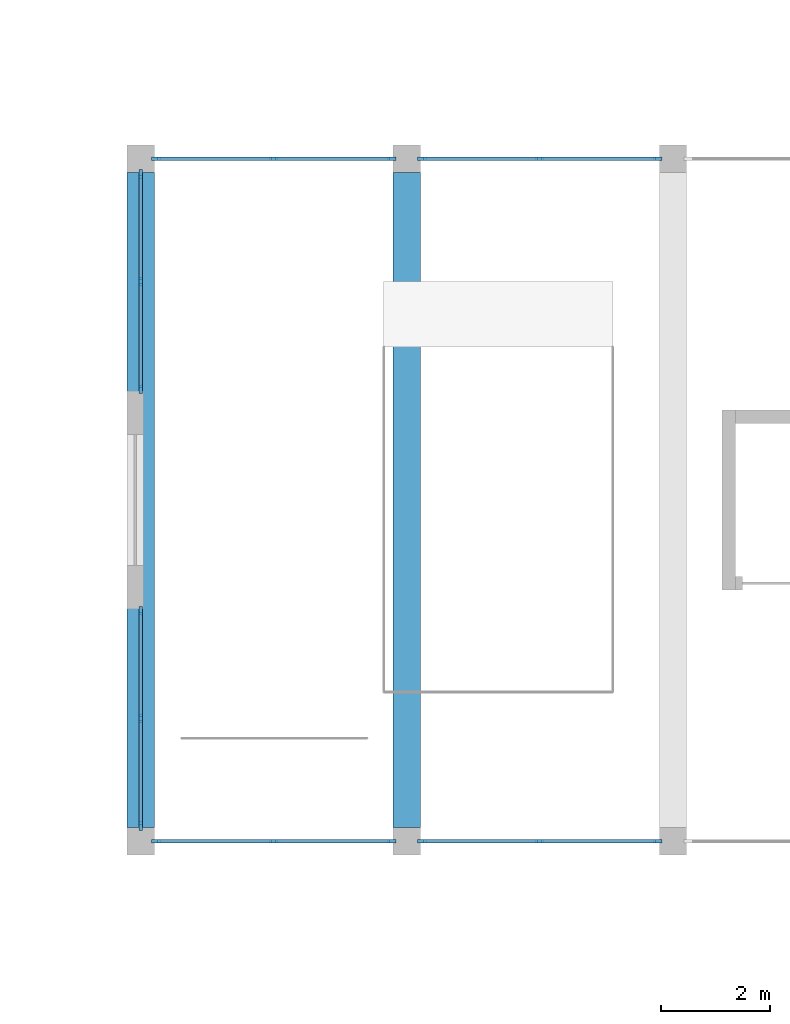
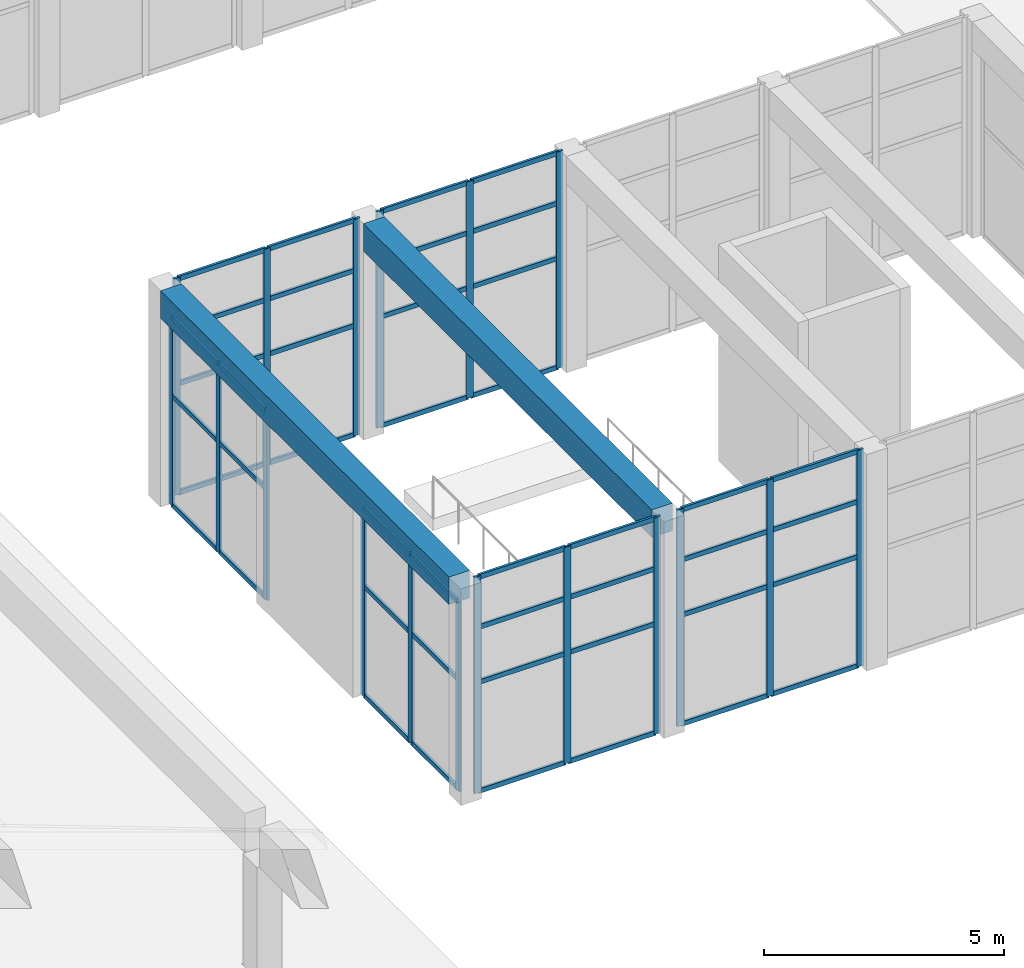
# One storey, part 6 of 175: 62 members, 2 beams, 6 elements without a shape of their own.
"""IFC4 building model written with IfcOpenShell, lengths in metres."""

from ifc_helpers import new_model, si_unit, direction, frame, origin, origin_2d, place, context, subcontext, project, spatial, rectangle, extrude, material, material_profile, profile_set, type_object, element, aggregate, save


model = new_model("IFC4")

# Units and contexts
model_context = context("Model", 3, precision=1e-05, world=origin(), true_north=direction((0.0, 1.0)))
body_context = subcontext(model_context, "Body", "Model", "MODEL_VIEW")
ifc_project = project(units=[si_unit("LENGTHUNIT", "METRE"), si_unit("AREAUNIT", "SQUARE_METRE"), si_unit("VOLUMEUNIT", "CUBIC_METRE"), si_unit("PLANEANGLEUNIT", "RADIAN"), si_unit("MASSUNIT", "GRAM", prefix="KILO")], contexts=[model_context])

# Site, building, storey
site_placement = place(None, origin())
site = spatial("IfcSite", under=ifc_project, at=site_placement, CompositionType="ELEMENT")
building_placement = place(site_placement, origin())
building = spatial("IfcBuilding", under=site, at=building_placement, Name="Ogive Plaza Stadium", CompositionType="ELEMENT")
storey_placement = place(building_placement, origin())
storey = spatial("IfcBuildingStorey", under=building, at=storey_placement, Name="L00", CompositionType="ELEMENT", Elevation=0.0)

# Curtain wall, members
ifc_material_1 = material(Name="Aluminium and laminated glass", Category="aluminium")
curtain_wall_type = type_object("IfcCurtainWallType", Name="Headhouse curtain wall", PredefinedType="NOTDEFINED", material=ifc_material_1)
curtain_wall_1_placement = place(storey_placement, origin())
curtain_wall_1 = element("IfcCurtainWall", 1, at=curtain_wall_1_placement, inside=storey, type_object=curtain_wall_type, Name="Headhouse 1 curtain wall", PredefinedType="NOTDEFINED")
ifc_material_2 = material(Name="Bronze-anodised aluminium", Category="aluminium")
ifc_material_profile_1 = material_profile(ifc_material_2, rectangle(XDim=0.06005859375, YDim=0.159912109375, at=origin_2d()), Name="Headhouse mullion 60x160")
ifc_profile_set_1 = profile_set([ifc_material_profile_1], Name="Bronze-anodised aluminium")
member_type_1 = type_object("IfcMemberType", Name="Headhouse mullion 60x160", PredefinedType="MULLION", material=ifc_profile_set_1)
member_1_placement = place(storey_placement, frame((98.530029296875, -19.25, 0.0), z_axis=(0.0, 0.0, 1.0), x_axis=(0.0, 1.0, 0.0)))
member_1 = element("IfcMember", 2, at=member_1_placement, type_object=member_type_1, Name="HCW1A mullion 1", PredefinedType="MULLION", context=body_context, shape_type="SweptSolid", body=[
    extrude(rectangle(XDim=0.06005859375, YDim=0.159912109375, at=origin_2d()), origin(), (0.0, 0.0, 1.0), 5.5),
])
member_2_placement = place(storey_placement, frame((100.6875, -19.25, 0.0), z_axis=(0.0, 0.0, 1.0), x_axis=(0.0, 1.0, 0.0)))
member_2 = element("IfcMember", 3, at=member_2_placement, type_object=member_type_1, Name="HCW1A mullion 2", PredefinedType="MULLION", context=body_context, shape_type="SweptSolid", body=[
    extrude(rectangle(XDim=0.06005859375, YDim=0.159912109375, at=origin_2d()), origin(), (0.0, 0.0, 1.0), 5.5),
])
member_3_placement = place(storey_placement, frame((102.844970703125, -19.25, 0.0), z_axis=(0.0, 0.0, 1.0), x_axis=(0.0, 1.0, 0.0)))
member_3 = element("IfcMember", 4, at=member_3_placement, type_object=member_type_1, Name="HCW1A mullion 3", PredefinedType="MULLION", context=body_context, shape_type="SweptSolid", body=[
    extrude(rectangle(XDim=0.06005859375, YDim=0.159912109375, at=origin_2d()), origin(), (0.0, 0.0, 1.0), 5.5),
])

curtain_wall_2_placement = place(storey_placement, origin())
curtain_wall_2 = element("IfcCurtainWall", 5, at=curtain_wall_2_placement, inside=storey, type_object=curtain_wall_type, Name="Headhouse 1 curtain wall", PredefinedType="NOTDEFINED")
member_4_placement = place(storey_placement, frame((103.405029296875, -19.25, 0.0), z_axis=(0.0, 0.0, 1.0), x_axis=(0.0, 1.0, 0.0)))
member_4 = element("IfcMember", 6, at=member_4_placement, type_object=member_type_1, Name="HCW1A mullion 1", PredefinedType="MULLION", context=body_context, shape_type="SweptSolid", body=[
    extrude(rectangle(XDim=0.06005859375, YDim=0.159912109375, at=origin_2d()), origin(), (0.0, 0.0, 1.0), 5.5),
])
member_5_placement = place(storey_placement, frame((105.5625, -19.25, 0.0), z_axis=(0.0, 0.0, 1.0), x_axis=(0.0, 1.0, 0.0)))
member_5 = element("IfcMember", 7, at=member_5_placement, type_object=member_type_1, Name="HCW1A mullion 2", PredefinedType="MULLION", context=body_context, shape_type="SweptSolid", body=[
    extrude(rectangle(XDim=0.06005859375, YDim=0.159912109375, at=origin_2d()), origin(), (0.0, 0.0, 1.0), 5.5),
])
member_6_placement = place(storey_placement, frame((107.719970703125, -19.25, 0.0), z_axis=(0.0, 0.0, 1.0), x_axis=(0.0, 1.0, 0.0)))
member_6 = element("IfcMember", 8, at=member_6_placement, type_object=member_type_1, Name="HCW1A mullion 3", PredefinedType="MULLION", context=body_context, shape_type="SweptSolid", body=[
    extrude(rectangle(XDim=0.06005859375, YDim=0.159912109375, at=origin_2d()), origin(), (0.0, 0.0, 1.0), 5.5),
])

curtain_wall_3_placement = place(storey_placement, origin())
curtain_wall_3 = element("IfcCurtainWall", 9, at=curtain_wall_3_placement, inside=storey, type_object=curtain_wall_type, Name="Headhouse 1 curtain wall", PredefinedType="NOTDEFINED")
member_7_placement = place(storey_placement, frame((98.530029296875, -6.75, 0.0), z_axis=(0.0, 0.0, 1.0), x_axis=(0.0, 1.0, 0.0)))
member_7 = element("IfcMember", 10, at=member_7_placement, type_object=member_type_1, Name="HCW1A mullion 1", PredefinedType="MULLION", context=body_context, shape_type="SweptSolid", body=[
    extrude(rectangle(XDim=0.06005859375, YDim=0.159912109375, at=origin_2d()), origin(), (0.0, 0.0, 1.0), 5.5),
])
member_8_placement = place(storey_placement, frame((100.6875, -6.75, 0.0), z_axis=(0.0, 0.0, 1.0), x_axis=(0.0, 1.0, 0.0)))
member_8 = element("IfcMember", 11, at=member_8_placement, type_object=member_type_1, Name="HCW1A mullion 2", PredefinedType="MULLION", context=body_context, shape_type="SweptSolid", body=[
    extrude(rectangle(XDim=0.06005859375, YDim=0.159912109375, at=origin_2d()), origin(), (0.0, 0.0, 1.0), 5.5),
])
member_9_placement = place(storey_placement, frame((102.844970703125, -6.75, 0.0), z_axis=(0.0, 0.0, 1.0), x_axis=(0.0, 1.0, 0.0)))
member_9 = element("IfcMember", 12, at=member_9_placement, type_object=member_type_1, Name="HCW1A mullion 3", PredefinedType="MULLION", context=body_context, shape_type="SweptSolid", body=[
    extrude(rectangle(XDim=0.06005859375, YDim=0.159912109375, at=origin_2d()), origin(), (0.0, 0.0, 1.0), 5.5),
])

curtain_wall_4_placement = place(storey_placement, origin())
curtain_wall_4 = element("IfcCurtainWall", 13, at=curtain_wall_4_placement, inside=storey, type_object=curtain_wall_type, Name="Headhouse 1 curtain wall", PredefinedType="NOTDEFINED")
member_10_placement = place(storey_placement, frame((103.405029296875, -6.75, 0.0), z_axis=(0.0, 0.0, 1.0), x_axis=(0.0, 1.0, 0.0)))
member_10 = element("IfcMember", 14, at=member_10_placement, type_object=member_type_1, Name="HCW1A mullion 1", PredefinedType="MULLION", context=body_context, shape_type="SweptSolid", body=[
    extrude(rectangle(XDim=0.06005859375, YDim=0.159912109375, at=origin_2d()), origin(), (0.0, 0.0, 1.0), 5.5),
])
member_11_placement = place(storey_placement, frame((105.5625, -6.75, 0.0), z_axis=(0.0, 0.0, 1.0), x_axis=(0.0, 1.0, 0.0)))
member_11 = element("IfcMember", 15, at=member_11_placement, type_object=member_type_1, Name="HCW1A mullion 2", PredefinedType="MULLION", context=body_context, shape_type="SweptSolid", body=[
    extrude(rectangle(XDim=0.06005859375, YDim=0.159912109375, at=origin_2d()), origin(), (0.0, 0.0, 1.0), 5.5),
])
member_12_placement = place(storey_placement, frame((107.719970703125, -6.75, 0.0), z_axis=(0.0, 0.0, 1.0), x_axis=(0.0, 1.0, 0.0)))
member_12 = element("IfcMember", 16, at=member_12_placement, type_object=member_type_1, Name="HCW1A mullion 3", PredefinedType="MULLION", context=body_context, shape_type="SweptSolid", body=[
    extrude(rectangle(XDim=0.06005859375, YDim=0.159912109375, at=origin_2d()), origin(), (0.0, 0.0, 1.0), 5.5),
])

curtain_wall_5_placement = place(storey_placement, origin())
curtain_wall_5 = element("IfcCurtainWall", 17, at=curtain_wall_5_placement, inside=storey, type_object=curtain_wall_type, Name="Headhouse 1 curtain wall", PredefinedType="NOTDEFINED")
member_13_placement = place(storey_placement, frame((98.25, -18.969970703125, 0.0), z_axis=(0.0, 0.0, 1.0), x_axis=(-1.0, 0.0, 0.0)))
member_13 = element("IfcMember", 18, at=member_13_placement, type_object=member_type_1, Name="HCW1B mullion 1", PredefinedType="MULLION", context=body_context, shape_type="SweptSolid", body=[
    extrude(rectangle(XDim=0.06005859375, YDim=0.159912109375, at=origin_2d()), origin(), (0.0, 0.0, 1.0), 4.800048828125),
])
member_14_placement = place(storey_placement, frame((98.25, -17.0, 0.0), z_axis=(0.0, 0.0, 1.0), x_axis=(-1.0, 0.0, 0.0)))
member_14 = element("IfcMember", 19, at=member_14_placement, type_object=member_type_1, Name="HCW1B mullion 2", PredefinedType="MULLION", context=body_context, shape_type="SweptSolid", body=[
    extrude(rectangle(XDim=0.06005859375, YDim=0.159912109375, at=origin_2d()), origin(), (0.0, 0.0, 1.0), 4.800048828125),
])
member_15_placement = place(storey_placement, frame((98.25, -15.030029296875, 0.0), z_axis=(0.0, 0.0, 1.0), x_axis=(-1.0, 0.0, 0.0)))
member_15 = element("IfcMember", 20, at=member_15_placement, type_object=member_type_1, Name="HCW1B mullion 3", PredefinedType="MULLION", context=body_context, shape_type="SweptSolid", body=[
    extrude(rectangle(XDim=0.06005859375, YDim=0.159912109375, at=origin_2d()), origin(), (0.0, 0.0, 1.0), 4.800048828125),
])

curtain_wall_6_placement = place(storey_placement, origin())
curtain_wall_6 = element("IfcCurtainWall", 21, at=curtain_wall_6_placement, inside=storey, type_object=curtain_wall_type, Name="Headhouse 1 curtain wall", PredefinedType="NOTDEFINED")
member_16_placement = place(storey_placement, frame((98.25, -10.969970703125, 0.0), z_axis=(0.0, 0.0, 1.0), x_axis=(-1.0, 0.0, 0.0)))
member_16 = element("IfcMember", 22, at=member_16_placement, type_object=member_type_1, Name="HCW1B mullion 1", PredefinedType="MULLION", context=body_context, shape_type="SweptSolid", body=[
    extrude(rectangle(XDim=0.06005859375, YDim=0.159912109375, at=origin_2d()), origin(), (0.0, 0.0, 1.0), 4.800048828125),
])
member_17_placement = place(storey_placement, frame((98.25, -9.0, 0.0), z_axis=(0.0, 0.0, 1.0), x_axis=(-1.0, 0.0, 0.0)))
member_17 = element("IfcMember", 23, at=member_17_placement, type_object=member_type_1, Name="HCW1B mullion 2", PredefinedType="MULLION", context=body_context, shape_type="SweptSolid", body=[
    extrude(rectangle(XDim=0.06005859375, YDim=0.159912109375, at=origin_2d()), origin(), (0.0, 0.0, 1.0), 4.800048828125),
])
member_18_placement = place(storey_placement, frame((98.25, -7.030029296875, 0.0), z_axis=(0.0, 0.0, 1.0), x_axis=(-1.0, 0.0, 0.0)))
member_18 = element("IfcMember", 24, at=member_18_placement, type_object=member_type_1, Name="HCW1B mullion 3", PredefinedType="MULLION", context=body_context, shape_type="SweptSolid", body=[
    extrude(rectangle(XDim=0.06005859375, YDim=0.159912109375, at=origin_2d()), origin(), (0.0, 0.0, 1.0), 4.800048828125),
])

# Beams
ifc_material_3 = material(Name="Concrete C40/50", Category="concrete")
ifc_material_profile_2 = material_profile(ifc_material_3, rectangle(XDim=0.5, YDim=0.699951171875, at=origin_2d()), Name="Headhouse roof beam RC 500x700")
ifc_profile_set_2 = profile_set([ifc_material_profile_2], Name="Concrete C40/50")
beam_type = type_object("IfcBeamType", Name="Headhouse roof beam RC 500x700", PredefinedType="BEAM", material=ifc_profile_set_2)
for number, where, z_axis, x_axis, name in (
    (25, (98.25, -19.0, 5.14990234375), (0.0, 1.0, 0.0), (-1.0, 0.0, 0.0), "Headhouse 1 roof beam 1"),
    (26, (103.125, -19.0, 5.14990234375), (0.0, 1.0, 0.0), (-1.0, 0.0, 0.0), "Headhouse 1 roof beam 2"),
):
    element("IfcBeam", number, at=place(storey_placement, frame(where, z_axis=z_axis, x_axis=x_axis)), inside=storey, type_object=beam_type, Name=name, PredefinedType="BEAM", context=body_context, shape_type="SweptSolid", body=[
        extrude(rectangle(XDim=0.5, YDim=0.699951171875, at=origin_2d()), origin(), (0.0, 0.0, 1.0), 12.0),
    ])

# Member
ifc_material_4 = material(Name="Bronze-anodised aluminium", Category="aluminium")
ifc_material_profile_3 = material_profile(ifc_material_4, rectangle(XDim=0.06005859375, YDim=0.1201171875, at=origin_2d()), Name="Headhouse transom 60x120")
ifc_profile_set_3 = profile_set([ifc_material_profile_3], Name="Bronze-anodised aluminium")
member_type_2 = type_object("IfcMemberType", Name="Headhouse transom 60x120", PredefinedType="USERDEFINED", material=ifc_profile_set_3)
member_19_placement = place(storey_placement, frame((98.56005859375, -19.25, 0.030029296875), z_axis=(1.0, 0.0, 0.0), x_axis=(0.0, 1.0, 0.0)))
member_19 = element("IfcMember", 27, at=member_19_placement, type_object=member_type_2, Name="HCW1A transom 1.1", ObjectType="TRANSOM", PredefinedType="USERDEFINED", context=body_context, shape_type="SweptSolid", body=[
    extrude(rectangle(XDim=0.06005859375, YDim=0.1201171875, at=origin_2d()), origin(), (0.0, 0.0, 1.0), 2.097412109375),
])

member_20_placement = place(storey_placement, frame((98.56005859375, -19.25, 2.800048828125), z_axis=(1.0, 0.0, 0.0), x_axis=(0.0, 1.0, 0.0)))
member_20 = element("IfcMember", 28, at=member_20_placement, type_object=member_type_2, Name="HCW1A transom 1.2", ObjectType="TRANSOM", PredefinedType="USERDEFINED", context=body_context, shape_type="SweptSolid", body=[
    extrude(rectangle(XDim=0.06005859375, YDim=0.1201171875, at=origin_2d()), origin(), (0.0, 0.0, 1.0), 2.097412109375),
])

member_21_placement = place(storey_placement, frame((98.56005859375, -19.25, 4.199951171875), z_axis=(1.0, 0.0, 0.0), x_axis=(0.0, 1.0, 0.0)))
member_21 = element("IfcMember", 29, at=member_21_placement, type_object=member_type_2, Name="HCW1A transom 1.3", ObjectType="TRANSOM", PredefinedType="USERDEFINED", context=body_context, shape_type="SweptSolid", body=[
    extrude(rectangle(XDim=0.06005859375, YDim=0.1201171875, at=origin_2d()), origin(), (0.0, 0.0, 1.0), 2.097412109375),
])

member_22_placement = place(storey_placement, frame((98.56005859375, -19.25, 5.469970703125), z_axis=(1.0, 0.0, 0.0), x_axis=(0.0, 1.0, 0.0)))
member_22 = element("IfcMember", 30, at=member_22_placement, type_object=member_type_2, Name="HCW1A transom 1.4", ObjectType="TRANSOM", PredefinedType="USERDEFINED", context=body_context, shape_type="SweptSolid", body=[
    extrude(rectangle(XDim=0.06005859375, YDim=0.1201171875, at=origin_2d()), origin(), (0.0, 0.0, 1.0), 2.097412109375),
])

member_23_placement = place(storey_placement, frame((100.717529296875, -19.25, 0.030029296875), z_axis=(1.0, 0.0, 0.0), x_axis=(0.0, 1.0, 0.0)))
member_23 = element("IfcMember", 31, at=member_23_placement, type_object=member_type_2, Name="HCW1A transom 2.1", ObjectType="TRANSOM", PredefinedType="USERDEFINED", context=body_context, shape_type="SweptSolid", body=[
    extrude(rectangle(XDim=0.06005859375, YDim=0.1201171875, at=origin_2d()), origin(), (0.0, 0.0, 1.0), 2.097412109375),
])

member_24_placement = place(storey_placement, frame((100.717529296875, -19.25, 2.800048828125), z_axis=(1.0, 0.0, 0.0), x_axis=(0.0, 1.0, 0.0)))
member_24 = element("IfcMember", 32, at=member_24_placement, type_object=member_type_2, Name="HCW1A transom 2.2", ObjectType="TRANSOM", PredefinedType="USERDEFINED", context=body_context, shape_type="SweptSolid", body=[
    extrude(rectangle(XDim=0.06005859375, YDim=0.1201171875, at=origin_2d()), origin(), (0.0, 0.0, 1.0), 2.097412109375),
])

member_25_placement = place(storey_placement, frame((100.717529296875, -19.25, 4.199951171875), z_axis=(1.0, 0.0, 0.0), x_axis=(0.0, 1.0, 0.0)))
member_25 = element("IfcMember", 33, at=member_25_placement, type_object=member_type_2, Name="HCW1A transom 2.3", ObjectType="TRANSOM", PredefinedType="USERDEFINED", context=body_context, shape_type="SweptSolid", body=[
    extrude(rectangle(XDim=0.06005859375, YDim=0.1201171875, at=origin_2d()), origin(), (0.0, 0.0, 1.0), 2.097412109375),
])

member_26_placement = place(storey_placement, frame((100.717529296875, -19.25, 5.469970703125), z_axis=(1.0, 0.0, 0.0), x_axis=(0.0, 1.0, 0.0)))
member_26 = element("IfcMember", 34, at=member_26_placement, type_object=member_type_2, Name="HCW1A transom 2.4", ObjectType="TRANSOM", PredefinedType="USERDEFINED", context=body_context, shape_type="SweptSolid", body=[
    extrude(rectangle(XDim=0.06005859375, YDim=0.1201171875, at=origin_2d()), origin(), (0.0, 0.0, 1.0), 2.097412109375),
])

aggregate(curtain_wall_1, [member_1, member_2, member_3, member_19, member_20, member_21, member_22, member_23, member_24, member_25, member_26])

member_27_placement = place(storey_placement, frame((103.43505859375, -19.25, 0.030029296875), z_axis=(1.0, 0.0, 0.0), x_axis=(0.0, 1.0, 0.0)))
member_27 = element("IfcMember", 35, at=member_27_placement, type_object=member_type_2, Name="HCW1A transom 1.1", ObjectType="TRANSOM", PredefinedType="USERDEFINED", context=body_context, shape_type="SweptSolid", body=[
    extrude(rectangle(XDim=0.06005859375, YDim=0.1201171875, at=origin_2d()), origin(), (0.0, 0.0, 1.0), 2.097412109375),
])

member_28_placement = place(storey_placement, frame((103.43505859375, -19.25, 2.800048828125), z_axis=(1.0, 0.0, 0.0), x_axis=(0.0, 1.0, 0.0)))
member_28 = element("IfcMember", 36, at=member_28_placement, type_object=member_type_2, Name="HCW1A transom 1.2", ObjectType="TRANSOM", PredefinedType="USERDEFINED", context=body_context, shape_type="SweptSolid", body=[
    extrude(rectangle(XDim=0.06005859375, YDim=0.1201171875, at=origin_2d()), origin(), (0.0, 0.0, 1.0), 2.097412109375),
])

member_29_placement = place(storey_placement, frame((103.43505859375, -19.25, 4.199951171875), z_axis=(1.0, 0.0, 0.0), x_axis=(0.0, 1.0, 0.0)))
member_29 = element("IfcMember", 37, at=member_29_placement, type_object=member_type_2, Name="HCW1A transom 1.3", ObjectType="TRANSOM", PredefinedType="USERDEFINED", context=body_context, shape_type="SweptSolid", body=[
    extrude(rectangle(XDim=0.06005859375, YDim=0.1201171875, at=origin_2d()), origin(), (0.0, 0.0, 1.0), 2.097412109375),
])

member_30_placement = place(storey_placement, frame((103.43505859375, -19.25, 5.469970703125), z_axis=(1.0, 0.0, 0.0), x_axis=(0.0, 1.0, 0.0)))
member_30 = element("IfcMember", 38, at=member_30_placement, type_object=member_type_2, Name="HCW1A transom 1.4", ObjectType="TRANSOM", PredefinedType="USERDEFINED", context=body_context, shape_type="SweptSolid", body=[
    extrude(rectangle(XDim=0.06005859375, YDim=0.1201171875, at=origin_2d()), origin(), (0.0, 0.0, 1.0), 2.097412109375),
])

member_31_placement = place(storey_placement, frame((105.592529296875, -19.25, 0.030029296875), z_axis=(1.0, 0.0, 0.0), x_axis=(0.0, 1.0, 0.0)))
member_31 = element("IfcMember", 39, at=member_31_placement, type_object=member_type_2, Name="HCW1A transom 2.1", ObjectType="TRANSOM", PredefinedType="USERDEFINED", context=body_context, shape_type="SweptSolid", body=[
    extrude(rectangle(XDim=0.06005859375, YDim=0.1201171875, at=origin_2d()), origin(), (0.0, 0.0, 1.0), 2.097412109375),
])

member_32_placement = place(storey_placement, frame((105.592529296875, -19.25, 2.800048828125), z_axis=(1.0, 0.0, 0.0), x_axis=(0.0, 1.0, 0.0)))
member_32 = element("IfcMember", 40, at=member_32_placement, type_object=member_type_2, Name="HCW1A transom 2.2", ObjectType="TRANSOM", PredefinedType="USERDEFINED", context=body_context, shape_type="SweptSolid", body=[
    extrude(rectangle(XDim=0.06005859375, YDim=0.1201171875, at=origin_2d()), origin(), (0.0, 0.0, 1.0), 2.097412109375),
])

member_33_placement = place(storey_placement, frame((105.592529296875, -19.25, 4.199951171875), z_axis=(1.0, 0.0, 0.0), x_axis=(0.0, 1.0, 0.0)))
member_33 = element("IfcMember", 41, at=member_33_placement, type_object=member_type_2, Name="HCW1A transom 2.3", ObjectType="TRANSOM", PredefinedType="USERDEFINED", context=body_context, shape_type="SweptSolid", body=[
    extrude(rectangle(XDim=0.06005859375, YDim=0.1201171875, at=origin_2d()), origin(), (0.0, 0.0, 1.0), 2.097412109375),
])

member_34_placement = place(storey_placement, frame((105.592529296875, -19.25, 5.469970703125), z_axis=(1.0, 0.0, 0.0), x_axis=(0.0, 1.0, 0.0)))
member_34 = element("IfcMember", 42, at=member_34_placement, type_object=member_type_2, Name="HCW1A transom 2.4", ObjectType="TRANSOM", PredefinedType="USERDEFINED", context=body_context, shape_type="SweptSolid", body=[
    extrude(rectangle(XDim=0.06005859375, YDim=0.1201171875, at=origin_2d()), origin(), (0.0, 0.0, 1.0), 2.097412109375),
])

aggregate(curtain_wall_2, [member_4, member_5, member_6, member_27, member_28, member_29, member_30, member_31, member_32, member_33, member_34])

member_35_placement = place(storey_placement, frame((98.56005859375, -6.75, 0.030029296875), z_axis=(1.0, 0.0, 0.0), x_axis=(0.0, 1.0, 0.0)))
member_35 = element("IfcMember", 43, at=member_35_placement, type_object=member_type_2, Name="HCW1A transom 1.1", ObjectType="TRANSOM", PredefinedType="USERDEFINED", context=body_context, shape_type="SweptSolid", body=[
    extrude(rectangle(XDim=0.06005859375, YDim=0.1201171875, at=origin_2d()), origin(), (0.0, 0.0, 1.0), 2.097412109375),
])

member_36_placement = place(storey_placement, frame((98.56005859375, -6.75, 2.800048828125), z_axis=(1.0, 0.0, 0.0), x_axis=(0.0, 1.0, 0.0)))
member_36 = element("IfcMember", 44, at=member_36_placement, type_object=member_type_2, Name="HCW1A transom 1.2", ObjectType="TRANSOM", PredefinedType="USERDEFINED", context=body_context, shape_type="SweptSolid", body=[
    extrude(rectangle(XDim=0.06005859375, YDim=0.1201171875, at=origin_2d()), origin(), (0.0, 0.0, 1.0), 2.097412109375),
])

member_37_placement = place(storey_placement, frame((98.56005859375, -6.75, 4.199951171875), z_axis=(1.0, 0.0, 0.0), x_axis=(0.0, 1.0, 0.0)))
member_37 = element("IfcMember", 45, at=member_37_placement, type_object=member_type_2, Name="HCW1A transom 1.3", ObjectType="TRANSOM", PredefinedType="USERDEFINED", context=body_context, shape_type="SweptSolid", body=[
    extrude(rectangle(XDim=0.06005859375, YDim=0.1201171875, at=origin_2d()), origin(), (0.0, 0.0, 1.0), 2.097412109375),
])

member_38_placement = place(storey_placement, frame((98.56005859375, -6.75, 5.469970703125), z_axis=(1.0, 0.0, 0.0), x_axis=(0.0, 1.0, 0.0)))
member_38 = element("IfcMember", 46, at=member_38_placement, type_object=member_type_2, Name="HCW1A transom 1.4", ObjectType="TRANSOM", PredefinedType="USERDEFINED", context=body_context, shape_type="SweptSolid", body=[
    extrude(rectangle(XDim=0.06005859375, YDim=0.1201171875, at=origin_2d()), origin(), (0.0, 0.0, 1.0), 2.097412109375),
])

member_39_placement = place(storey_placement, frame((100.717529296875, -6.75, 0.030029296875), z_axis=(1.0, 0.0, 0.0), x_axis=(0.0, 1.0, 0.0)))
member_39 = element("IfcMember", 47, at=member_39_placement, type_object=member_type_2, Name="HCW1A transom 2.1", ObjectType="TRANSOM", PredefinedType="USERDEFINED", context=body_context, shape_type="SweptSolid", body=[
    extrude(rectangle(XDim=0.06005859375, YDim=0.1201171875, at=origin_2d()), origin(), (0.0, 0.0, 1.0), 2.097412109375),
])

member_40_placement = place(storey_placement, frame((100.717529296875, -6.75, 2.800048828125), z_axis=(1.0, 0.0, 0.0), x_axis=(0.0, 1.0, 0.0)))
member_40 = element("IfcMember", 48, at=member_40_placement, type_object=member_type_2, Name="HCW1A transom 2.2", ObjectType="TRANSOM", PredefinedType="USERDEFINED", context=body_context, shape_type="SweptSolid", body=[
    extrude(rectangle(XDim=0.06005859375, YDim=0.1201171875, at=origin_2d()), origin(), (0.0, 0.0, 1.0), 2.097412109375),
])

member_41_placement = place(storey_placement, frame((100.717529296875, -6.75, 4.199951171875), z_axis=(1.0, 0.0, 0.0), x_axis=(0.0, 1.0, 0.0)))
member_41 = element("IfcMember", 49, at=member_41_placement, type_object=member_type_2, Name="HCW1A transom 2.3", ObjectType="TRANSOM", PredefinedType="USERDEFINED", context=body_context, shape_type="SweptSolid", body=[
    extrude(rectangle(XDim=0.06005859375, YDim=0.1201171875, at=origin_2d()), origin(), (0.0, 0.0, 1.0), 2.097412109375),
])

member_42_placement = place(storey_placement, frame((100.717529296875, -6.75, 5.469970703125), z_axis=(1.0, 0.0, 0.0), x_axis=(0.0, 1.0, 0.0)))
member_42 = element("IfcMember", 50, at=member_42_placement, type_object=member_type_2, Name="HCW1A transom 2.4", ObjectType="TRANSOM", PredefinedType="USERDEFINED", context=body_context, shape_type="SweptSolid", body=[
    extrude(rectangle(XDim=0.06005859375, YDim=0.1201171875, at=origin_2d()), origin(), (0.0, 0.0, 1.0), 2.097412109375),
])

aggregate(curtain_wall_3, [member_7, member_8, member_9, member_35, member_36, member_37, member_38, member_39, member_40, member_41, member_42])

member_43_placement = place(storey_placement, frame((103.43505859375, -6.75, 0.030029296875), z_axis=(1.0, 0.0, 0.0), x_axis=(0.0, 1.0, 0.0)))
member_43 = element("IfcMember", 51, at=member_43_placement, type_object=member_type_2, Name="HCW1A transom 1.1", ObjectType="TRANSOM", PredefinedType="USERDEFINED", context=body_context, shape_type="SweptSolid", body=[
    extrude(rectangle(XDim=0.06005859375, YDim=0.1201171875, at=origin_2d()), origin(), (0.0, 0.0, 1.0), 2.097412109375),
])

member_44_placement = place(storey_placement, frame((103.43505859375, -6.75, 2.800048828125), z_axis=(1.0, 0.0, 0.0), x_axis=(0.0, 1.0, 0.0)))
member_44 = element("IfcMember", 52, at=member_44_placement, type_object=member_type_2, Name="HCW1A transom 1.2", ObjectType="TRANSOM", PredefinedType="USERDEFINED", context=body_context, shape_type="SweptSolid", body=[
    extrude(rectangle(XDim=0.06005859375, YDim=0.1201171875, at=origin_2d()), origin(), (0.0, 0.0, 1.0), 2.097412109375),
])

member_45_placement = place(storey_placement, frame((103.43505859375, -6.75, 4.199951171875), z_axis=(1.0, 0.0, 0.0), x_axis=(0.0, 1.0, 0.0)))
member_45 = element("IfcMember", 53, at=member_45_placement, type_object=member_type_2, Name="HCW1A transom 1.3", ObjectType="TRANSOM", PredefinedType="USERDEFINED", context=body_context, shape_type="SweptSolid", body=[
    extrude(rectangle(XDim=0.06005859375, YDim=0.1201171875, at=origin_2d()), origin(), (0.0, 0.0, 1.0), 2.097412109375),
])

member_46_placement = place(storey_placement, frame((103.43505859375, -6.75, 5.469970703125), z_axis=(1.0, 0.0, 0.0), x_axis=(0.0, 1.0, 0.0)))
member_46 = element("IfcMember", 54, at=member_46_placement, type_object=member_type_2, Name="HCW1A transom 1.4", ObjectType="TRANSOM", PredefinedType="USERDEFINED", context=body_context, shape_type="SweptSolid", body=[
    extrude(rectangle(XDim=0.06005859375, YDim=0.1201171875, at=origin_2d()), origin(), (0.0, 0.0, 1.0), 2.097412109375),
])

member_47_placement = place(storey_placement, frame((105.592529296875, -6.75, 0.030029296875), z_axis=(1.0, 0.0, 0.0), x_axis=(0.0, 1.0, 0.0)))
member_47 = element("IfcMember", 55, at=member_47_placement, type_object=member_type_2, Name="HCW1A transom 2.1", ObjectType="TRANSOM", PredefinedType="USERDEFINED", context=body_context, shape_type="SweptSolid", body=[
    extrude(rectangle(XDim=0.06005859375, YDim=0.1201171875, at=origin_2d()), origin(), (0.0, 0.0, 1.0), 2.097412109375),
])

member_48_placement = place(storey_placement, frame((105.592529296875, -6.75, 2.800048828125), z_axis=(1.0, 0.0, 0.0), x_axis=(0.0, 1.0, 0.0)))
member_48 = element("IfcMember", 56, at=member_48_placement, type_object=member_type_2, Name="HCW1A transom 2.2", ObjectType="TRANSOM", PredefinedType="USERDEFINED", context=body_context, shape_type="SweptSolid", body=[
    extrude(rectangle(XDim=0.06005859375, YDim=0.1201171875, at=origin_2d()), origin(), (0.0, 0.0, 1.0), 2.097412109375),
])

member_49_placement = place(storey_placement, frame((105.592529296875, -6.75, 4.199951171875), z_axis=(1.0, 0.0, 0.0), x_axis=(0.0, 1.0, 0.0)))
member_49 = element("IfcMember", 57, at=member_49_placement, type_object=member_type_2, Name="HCW1A transom 2.3", ObjectType="TRANSOM", PredefinedType="USERDEFINED", context=body_context, shape_type="SweptSolid", body=[
    extrude(rectangle(XDim=0.06005859375, YDim=0.1201171875, at=origin_2d()), origin(), (0.0, 0.0, 1.0), 2.097412109375),
])

member_50_placement = place(storey_placement, frame((105.592529296875, -6.75, 5.469970703125), z_axis=(1.0, 0.0, 0.0), x_axis=(0.0, 1.0, 0.0)))
member_50 = element("IfcMember", 58, at=member_50_placement, type_object=member_type_2, Name="HCW1A transom 2.4", ObjectType="TRANSOM", PredefinedType="USERDEFINED", context=body_context, shape_type="SweptSolid", body=[
    extrude(rectangle(XDim=0.06005859375, YDim=0.1201171875, at=origin_2d()), origin(), (0.0, 0.0, 1.0), 2.097412109375),
])

aggregate(curtain_wall_4, [member_10, member_11, member_12, member_43, member_44, member_45, member_46, member_47, member_48, member_49, member_50])

member_51_placement = place(storey_placement, frame((98.25, -18.93994140625, 0.030029296875), z_axis=(0.0, 1.0, 0.0), x_axis=(-1.0, 0.0, 0.0)))
member_51 = element("IfcMember", 59, at=member_51_placement, type_object=member_type_2, Name="HCW1B transom 1.1", ObjectType="TRANSOM", PredefinedType="USERDEFINED", context=body_context, shape_type="SweptSolid", body=[
    extrude(rectangle(XDim=0.06005859375, YDim=0.1201171875, at=origin_2d()), origin(), (0.0, 0.0, 1.0), 1.909912109375),
])

member_52_placement = place(storey_placement, frame((98.25, -18.93994140625, 2.800048828125), z_axis=(0.0, 1.0, 0.0), x_axis=(-1.0, 0.0, 0.0)))
member_52 = element("IfcMember", 60, at=member_52_placement, type_object=member_type_2, Name="HCW1B transom 1.2", ObjectType="TRANSOM", PredefinedType="USERDEFINED", context=body_context, shape_type="SweptSolid", body=[
    extrude(rectangle(XDim=0.06005859375, YDim=0.1201171875, at=origin_2d()), origin(), (0.0, 0.0, 1.0), 1.909912109375),
])

member_53_placement = place(storey_placement, frame((98.25, -18.93994140625, 4.77001953125), z_axis=(0.0, 1.0, 0.0), x_axis=(-1.0, 0.0, 0.0)))
member_53 = element("IfcMember", 61, at=member_53_placement, type_object=member_type_2, Name="HCW1B transom 1.3", ObjectType="TRANSOM", PredefinedType="USERDEFINED", context=body_context, shape_type="SweptSolid", body=[
    extrude(rectangle(XDim=0.06005859375, YDim=0.1201171875, at=origin_2d()), origin(), (0.0, 0.0, 1.0), 1.909912109375),
])

member_54_placement = place(storey_placement, frame((98.25, -16.969970703125, 0.030029296875), z_axis=(0.0, 1.0, 0.0), x_axis=(-1.0, 0.0, 0.0)))
member_54 = element("IfcMember", 62, at=member_54_placement, type_object=member_type_2, Name="HCW1B transom 2.1", ObjectType="TRANSOM", PredefinedType="USERDEFINED", context=body_context, shape_type="SweptSolid", body=[
    extrude(rectangle(XDim=0.06005859375, YDim=0.1201171875, at=origin_2d()), origin(), (0.0, 0.0, 1.0), 1.909912109375),
])

member_55_placement = place(storey_placement, frame((98.25, -16.969970703125, 2.800048828125), z_axis=(0.0, 1.0, 0.0), x_axis=(-1.0, 0.0, 0.0)))
member_55 = element("IfcMember", 63, at=member_55_placement, type_object=member_type_2, Name="HCW1B transom 2.2", ObjectType="TRANSOM", PredefinedType="USERDEFINED", context=body_context, shape_type="SweptSolid", body=[
    extrude(rectangle(XDim=0.06005859375, YDim=0.1201171875, at=origin_2d()), origin(), (0.0, 0.0, 1.0), 1.909912109375),
])

member_56_placement = place(storey_placement, frame((98.25, -16.969970703125, 4.77001953125), z_axis=(0.0, 1.0, 0.0), x_axis=(-1.0, 0.0, 0.0)))
member_56 = element("IfcMember", 64, at=member_56_placement, type_object=member_type_2, Name="HCW1B transom 2.3", ObjectType="TRANSOM", PredefinedType="USERDEFINED", context=body_context, shape_type="SweptSolid", body=[
    extrude(rectangle(XDim=0.06005859375, YDim=0.1201171875, at=origin_2d()), origin(), (0.0, 0.0, 1.0), 1.909912109375),
])

aggregate(curtain_wall_5, [member_13, member_14, member_15, member_51, member_52, member_53, member_54, member_55, member_56])

member_57_placement = place(storey_placement, frame((98.25, -10.93994140625, 0.030029296875), z_axis=(0.0, 1.0, 0.0), x_axis=(-1.0, 0.0, 0.0)))
member_57 = element("IfcMember", 65, at=member_57_placement, type_object=member_type_2, Name="HCW1B transom 1.1", ObjectType="TRANSOM", PredefinedType="USERDEFINED", context=body_context, shape_type="SweptSolid", body=[
    extrude(rectangle(XDim=0.06005859375, YDim=0.1201171875, at=origin_2d()), origin(), (0.0, 0.0, 1.0), 1.909912109375),
])

member_58_placement = place(storey_placement, frame((98.25, -10.93994140625, 2.800048828125), z_axis=(0.0, 1.0, 0.0), x_axis=(-1.0, 0.0, 0.0)))
member_58 = element("IfcMember", 66, at=member_58_placement, type_object=member_type_2, Name="HCW1B transom 1.2", ObjectType="TRANSOM", PredefinedType="USERDEFINED", context=body_context, shape_type="SweptSolid", body=[
    extrude(rectangle(XDim=0.06005859375, YDim=0.1201171875, at=origin_2d()), origin(), (0.0, 0.0, 1.0), 1.909912109375),
])

member_59_placement = place(storey_placement, frame((98.25, -10.93994140625, 4.77001953125), z_axis=(0.0, 1.0, 0.0), x_axis=(-1.0, 0.0, 0.0)))
member_59 = element("IfcMember", 67, at=member_59_placement, type_object=member_type_2, Name="HCW1B transom 1.3", ObjectType="TRANSOM", PredefinedType="USERDEFINED", context=body_context, shape_type="SweptSolid", body=[
    extrude(rectangle(XDim=0.06005859375, YDim=0.1201171875, at=origin_2d()), origin(), (0.0, 0.0, 1.0), 1.909912109375),
])

member_60_placement = place(storey_placement, frame((98.25, -8.969970703125, 0.030029296875), z_axis=(0.0, 1.0, 0.0), x_axis=(-1.0, 0.0, 0.0)))
member_60 = element("IfcMember", 68, at=member_60_placement, type_object=member_type_2, Name="HCW1B transom 2.1", ObjectType="TRANSOM", PredefinedType="USERDEFINED", context=body_context, shape_type="SweptSolid", body=[
    extrude(rectangle(XDim=0.06005859375, YDim=0.1201171875, at=origin_2d()), origin(), (0.0, 0.0, 1.0), 1.909912109375),
])

member_61_placement = place(storey_placement, frame((98.25, -8.969970703125, 2.800048828125), z_axis=(0.0, 1.0, 0.0), x_axis=(-1.0, 0.0, 0.0)))
member_61 = element("IfcMember", 69, at=member_61_placement, type_object=member_type_2, Name="HCW1B transom 2.2", ObjectType="TRANSOM", PredefinedType="USERDEFINED", context=body_context, shape_type="SweptSolid", body=[
    extrude(rectangle(XDim=0.06005859375, YDim=0.1201171875, at=origin_2d()), origin(), (0.0, 0.0, 1.0), 1.909912109375),
])

member_62_placement = place(storey_placement, frame((98.25, -8.969970703125, 4.77001953125), z_axis=(0.0, 1.0, 0.0), x_axis=(-1.0, 0.0, 0.0)))
member_62 = element("IfcMember", 70, at=member_62_placement, type_object=member_type_2, Name="HCW1B transom 2.3", ObjectType="TRANSOM", PredefinedType="USERDEFINED", context=body_context, shape_type="SweptSolid", body=[
    extrude(rectangle(XDim=0.06005859375, YDim=0.1201171875, at=origin_2d()), origin(), (0.0, 0.0, 1.0), 1.909912109375),
])

aggregate(curtain_wall_6, [member_16, member_17, member_18, member_57, member_58, member_59, member_60, member_61, member_62])

save(model, "model.ifc")
